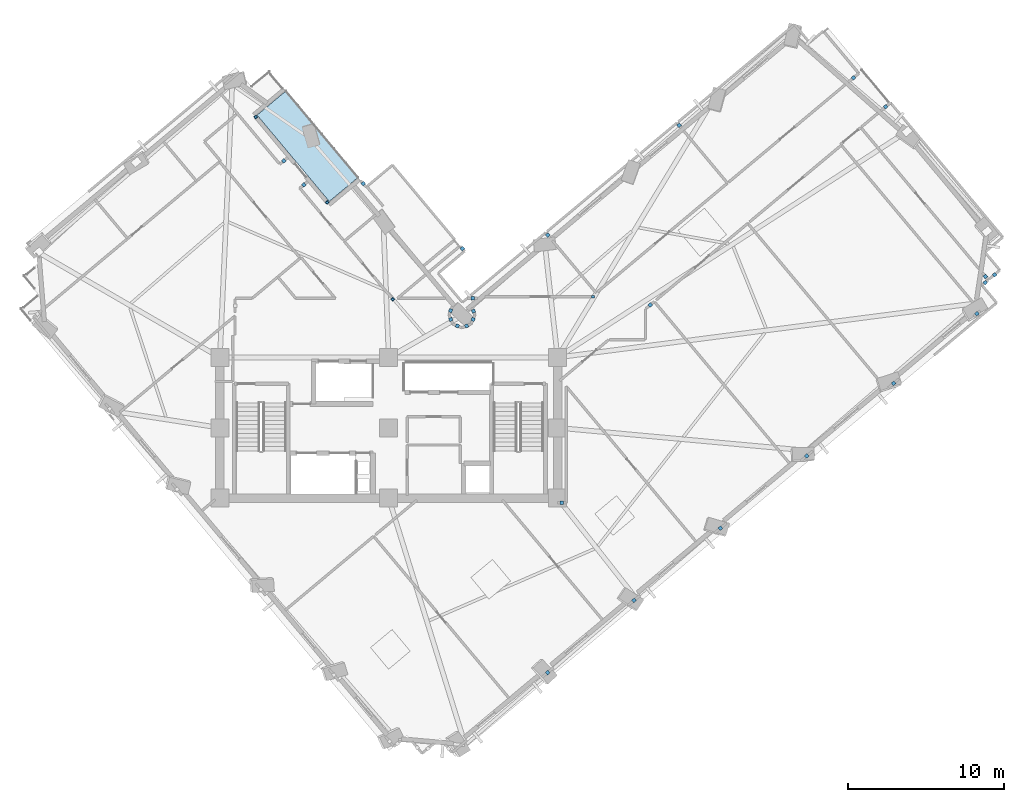
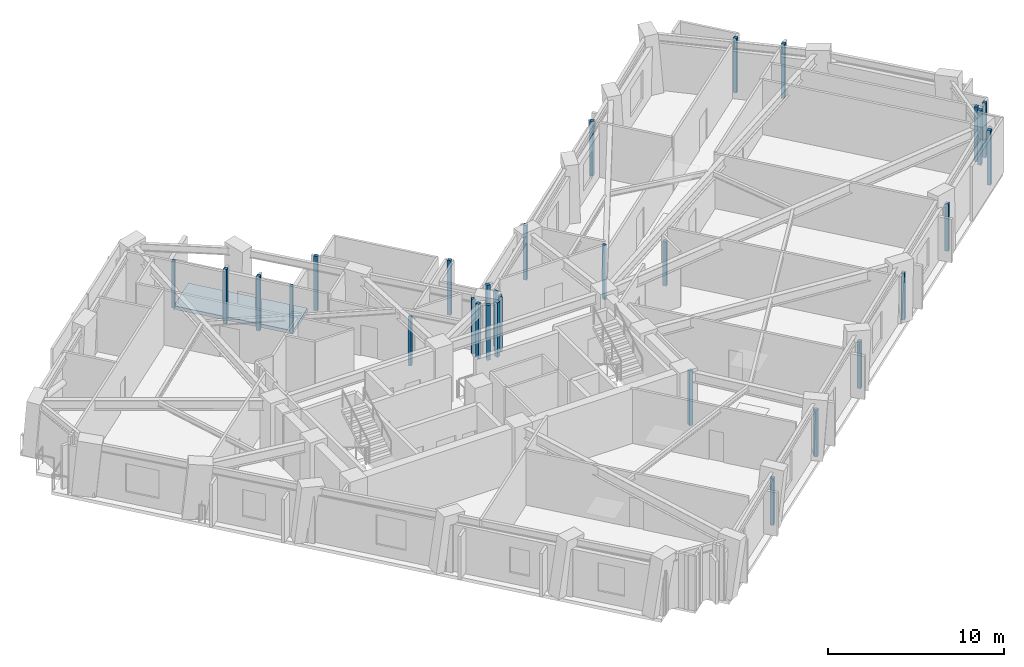
# One storey, part 4 of 14: 30 plates, 1 slab.
"""IFC4 building model written with IfcOpenShell, lengths in metres."""

from ifc_helpers import new_model, si_unit, direction, frame, origin, origin_2d, place, context, subcontext, project, spatial, polyline, rectangle, outline, extrude, material, layer, layer_set, type_object, element, save


model = new_model("IFC4")

# Units and contexts
model_context = context("Model", 3, precision=1e-05, world=origin(), true_north=direction((0.0, 1.0)))
body_context = subcontext(model_context, "Body", "Model", "MODEL_VIEW")
ifc_project = project(units=[si_unit("LENGTHUNIT", "METRE"), si_unit("AREAUNIT", "SQUARE_METRE"), si_unit("VOLUMEUNIT", "CUBIC_METRE"), si_unit("PLANEANGLEUNIT", "RADIAN"), si_unit("MASSUNIT", "GRAM", prefix="KILO")], contexts=[model_context])

# Site, building, storey
site_placement = place(None, origin())
site = spatial("IfcSite", under=ifc_project, at=site_placement, CompositionType="ELEMENT")
building_placement = place(site_placement, origin())
building = spatial("IfcBuilding", under=site, at=building_placement, Name="Gaonmaruhae Medical Tower", CompositionType="ELEMENT")
storey_placement = place(building_placement, frame((0.0, 0.0, 193.800048828125)))
storey = spatial("IfcBuildingStorey", under=building, at=storey_placement, Name="L46", CompositionType="ELEMENT", Elevation=193.800048828125)

# Plates
ifc_material_1 = material(Name="Anodised aluminium 6063-T6", Category="aluminium")
ifc_layer_1 = layer(ifc_material_1, 0.011962890625)
ifc_layer_set_1 = layer_set([ifc_layer_1], Name="Anodised aluminium 6063-T6")
plate_type = type_object("IfcPlateType", Name="PP-01 Interior Partition Corner Stiffener Plate", PredefinedType="SHEET", material=ifc_layer_set_1)
for number, where, z_axis, x_axis, name in (
    (1, (16.297607421875, 32.1796875, 0.0), (0.0, 0.0, 1.0), (0.641449631569, -0.767165151815, 0.0), "L46 Partition End Jamb Post Plate PLT-L46-ENDP-TERB-0"),
    (2, (20.86474609375, 26.717529296875, 0.0), (0.0, 0.0, 1.0), (0.641449631569, -0.767165151815, 0.0), "L46 Partition End Jamb Post Plate PLT-L46-ENDP-TERB-1"),
):
    element("IfcPlate", number, at=place(storey_placement, frame(where, z_axis=z_axis, x_axis=x_axis)), inside=storey, type_object=plate_type, Name=name, PredefinedType="SHEET", context=body_context, shape_type="SweptSolid", body=[
        extrude(rectangle(XDim=0.179931640625, YDim=0.179931640625, at=origin_2d()), origin(), (0.0, 0.0, 1.0), 3.264892578125),
    ])
plate_1_placement = place(storey_placement, frame((37.85693359375, 20.679931640625, 0.0), z_axis=(0.0, 0.0, 1.0), x_axis=(-1.0, 0.0, 0.0)))
element("IfcPlate", 3, at=plate_1_placement, inside=storey, type_object=plate_type, Name="L46 Partition End Jamb Post Plate PLT-L46-ENDP-PW057-0", PredefinedType="SHEET", context=body_context, shape_type="SweptSolid", body=[
    extrude(rectangle(XDim=0.179931640625, YDim=0.179931640625, at=origin_2d()), origin(), (0.0, 0.0, 1.0), 3.780029296875),
])
plate_2_placement = place(storey_placement, frame((25.057373046875, 20.5185546875, 0.0), z_axis=(0.0, 0.0, 1.0), x_axis=(-0.641436241914, 0.767176347107, 0.0)))
element("IfcPlate", 4, at=plate_2_placement, inside=storey, type_object=plate_type, Name="L46 Partition End Jamb Post Plate PLT-L46-ENDP-PW083-0", PredefinedType="SHEET", context=body_context, shape_type="SweptSolid", body=[
    extrude(rectangle(XDim=0.179931640625, YDim=0.179931640625, at=origin_2d()), origin(), (0.0, 0.0, 1.0), 3.4150390625),
])
for number, where, z_axis, x_axis, name in (
    (5, (34.967041015625, -3.360107421875, 0.0), (0.0, 0.0, 1.0), (-0.767355439981, -0.641221980855, 0.0), "L46 Partition Corner Stiffener Plate PLT-L46-JGP-PW016"),
    (6, (40.490478515625, 1.258056640625, 0.0), (0.0, 0.0, 1.0), (-0.76713156454, -0.641489799363, 0.0), "L46 Partition Corner Stiffener Plate PLT-L46-JGP-PW020"),
):
    element("IfcPlate", number, at=place(storey_placement, frame(where, z_axis=z_axis, x_axis=x_axis)), inside=storey, type_object=plate_type, Name=name, PredefinedType="SHEET", context=body_context, shape_type="SweptSolid", body=[
        extrude(rectangle(XDim=0.219970703125, YDim=0.219970703125, at=origin_2d()), origin(), (0.0, 0.0, 1.0), 3.264892578125),
    ])
plate_3_placement = place(storey_placement, frame((35.875, 7.5, 0.0), z_axis=(0.0, 0.0, 1.0), x_axis=(1.0, 0.0, 0.0)))
element("IfcPlate", 7, at=plate_3_placement, inside=storey, type_object=plate_type, Name="L46 Partition Corner Stiffener Plate PLT-L46-JGP-PW021", PredefinedType="SHEET", context=body_context, shape_type="SweptSolid", body=[
    extrude(rectangle(XDim=0.219970703125, YDim=0.219970703125, at=origin_2d()), origin(), (0.0, 0.0, 1.0), 3.780029296875),
])
plate_4_placement = place(storey_placement, frame((41.528076171875, 20.153564453125, 0.0), z_axis=(0.0, 0.0, 1.0), x_axis=(0.767008393202, 0.641637066228, 0.0)))
element("IfcPlate", 8, at=plate_4_placement, inside=storey, type_object=plate_type, Name="L46 Partition Corner Stiffener Plate PLT-L46-JGP-PW024", PredefinedType="SHEET", context=body_context, shape_type="SweptSolid", body=[
    extrude(rectangle(XDim=0.219970703125, YDim=0.219970703125, at=origin_2d()), origin(), (0.0, 0.0, 1.0), 3.06494140625),
])
for number, where, z_axis, x_axis, name in (
    (9, (46.013427734375, 5.8759765625, 0.0), (0.0, 0.0, 1.0), (-0.767310672372, -0.641275550808, 0.0), "L46 Partition Corner Stiffener Plate PLT-L46-JGP-PW026"),
    (10, (51.53662109375, 10.494384765625, 0.0), (0.0, 0.0, 1.0), (-0.766974796113, -0.641677225814, 0.0), "L46 Partition Corner Stiffener Plate PLT-L46-JGP-PW031"),
):
    element("IfcPlate", number, at=place(storey_placement, frame(where, z_axis=z_axis, x_axis=x_axis)), inside=storey, type_object=plate_type, Name=name, PredefinedType="SHEET", context=body_context, shape_type="SweptSolid", body=[
        extrude(rectangle(XDim=0.219970703125, YDim=0.219970703125, at=origin_2d()), origin(), (0.0, 0.0, 1.0), 3.264892578125),
    ])
plate_5_placement = place(storey_placement, frame((62.424560546875, 19.597900390625, 0.0), z_axis=(0.0, 0.0, 1.0), x_axis=(-0.767758180137, -0.640739710672, 0.0)))
element("IfcPlate", 11, at=plate_5_placement, inside=storey, type_object=plate_type, Name="L46 Partition Corner Stiffener Plate PLT-L46-JGP-PW034", PredefinedType="SHEET", context=body_context, shape_type="SweptSolid", body=[
    extrude(rectangle(XDim=0.219970703125, YDim=0.219970703125, at=origin_2d()), origin(), (0.0, 0.0, 1.0), 3.780029296875),
])
plate_6_placement = place(storey_placement, frame((57.09912109375, 15.14599609375, 0.0), z_axis=(0.0, 0.0, 1.0), x_axis=(-0.767467342641, -0.6410880423, 0.0)))
element("IfcPlate", 12, at=plate_6_placement, inside=storey, type_object=plate_type, Name="L46 Partition Corner Stiffener Plate PLT-L46-JGP-PW035", PredefinedType="SHEET", context=body_context, shape_type="SweptSolid", body=[
    extrude(rectangle(XDim=0.219970703125, YDim=0.219970703125, at=origin_2d()), origin(), (0.0, 0.0, 1.0), 3.264892578125),
])
for number, where, z_axis, x_axis, name in (
    (13, (34.9765625, 24.625, 0.0), (0.0, 0.0, 1.0), (0.6410880423, -0.767467342641, 0.0), "L46 Partition Corner Stiffener Plate PLT-L46-JGP-PW055"),
    (14, (30.166015625, 20.5791015625, 0.0), (0.0, 0.0, 1.0), (-1.0, 0.0, 0.0), "L46 Partition Corner Stiffener Plate PLT-L46-JGP-PW058"),
    (15, (30.222900390625, 19.758056640625, 0.0), (0.0, 0.0, 1.0), (0.38318324326, -0.923672345632, 0.0), "L46 Partition Corner Stiffener Plate PLT-L46-JGP-PW059"),
    (16, (30.196044921875, 19.23388671875, 0.0), (0.0, 0.0, 1.0), (-0.382167381036, -0.924093119157, 0.0), "L46 Partition Corner Stiffener Plate PLT-L46-JGP-PW060"),
    (17, (29.779541015625, 18.81689453125, 0.0), (0.0, 0.0, 1.0), (-0.923866173777, -0.382715681611, 0.0), "L46 Partition Corner Stiffener Plate PLT-L46-JGP-PW061"),
    (18, (29.18994140625, 18.81689453125, 0.0), (0.0, 0.0, 1.0), (-0.924093119157, 0.382167381036, 0.0), "L46 Partition Corner Stiffener Plate PLT-L46-JGP-PW062"),
    (19, (28.77294921875, 19.23388671875, 0.0), (0.0, 0.0, 1.0), (-0.382167381036, 0.924093119157, 0.0), "L46 Partition Corner Stiffener Plate PLT-L46-JGP-PW063"),
    (20, (28.761474609375, 19.79638671875, 0.0), (0.0, 0.0, 1.0), (0.381796395501, 0.924246456516, 0.0), "L46 Partition Corner Stiffener Plate PLT-L46-JGP-PW064"),
    (21, (29.513916015625, 23.762451171875, 0.0), (0.0, 0.0, 1.0), (0.640846903691, -0.767668708513, 0.0), "L46 Partition Corner Stiffener Plate PLT-L46-JGP-PW068"),
    (22, (43.37548828125, 31.64697265625, 0.0), (0.0, 0.0, 1.0), (0.6410880423, -0.767467342641, 0.0), "L46 Partition Corner Stiffener Plate PLT-L46-JGP-PW072"),
    (23, (54.531005859375, 34.68798828125, 0.0), (0.0, 0.0, 1.0), (-0.766918796291, -0.641744154548, 0.0), "L46 Partition Corner Stiffener Plate PLT-L46-JGP-PW076"),
    (24, (19.368896484375, 27.840087890625, 0.0), (0.0, 0.0, 1.0), (0.767478531621, 0.64107464737, 0.0), "L46 Partition Corner Stiffener Plate PLT-L46-JGP-PW086"),
    (25, (23.174560546875, 27.91455078125, 0.0), (0.0, 0.0, 1.0), (0.64107464737, -0.767478531621, 0.0), "L46 Partition Corner Stiffener Plate PLT-L46-JGP-PW087"),
    (26, (18.0859375, 29.3740234375, 0.0), (0.0, 0.0, 1.0), (-0.767478531621, -0.64107464737, 0.0), "L46 Partition Corner Stiffener Plate PLT-L46-JGP-PW089"),
    (27, (62.95947265625, 21.58349609375, 0.0), (0.0, 0.0, 1.0), (-0.767746997003, -0.640753110482, 0.0), "L46 Partition Corner Stiffener Plate PLT-L46-JGP-PW106"),
    (28, (62.968994140625, 21.9775390625, 0.0), (0.0, 0.0, 1.0), (0.641007669792, -0.767534473016, 0.0), "L46 Partition Corner Stiffener Plate PLT-L46-JGP-PW111"),
    (29, (63.5576171875, 22.083984375, 0.0), (0.0, 0.0, 1.0), (-0.766885193594, -0.641784309442, 0.0), "L46 Partition Corner Stiffener Plate PLT-L46-JGP-PW113"),
    (30, (56.589111328125, 32.83740234375, 0.0), (0.0, 0.0, 1.0), (0.767411394233, 0.641155014019, 0.0), "L46 Partition Corner Stiffener Plate PLT-L46-JGP-PW115"),
):
    element("IfcPlate", number, at=place(storey_placement, frame(where, z_axis=z_axis, x_axis=x_axis)), inside=storey, type_object=plate_type, Name=name, PredefinedType="SHEET", context=body_context, shape_type="SweptSolid", body=[
        extrude(rectangle(XDim=0.219970703125, YDim=0.219970703125, at=origin_2d()), origin(), (0.0, 0.0, 1.0), 3.780029296875),
    ])

# Slab
ifc_material_2 = material(Name="Concrete C40/50", Category="concrete")
ifc_layer_2 = layer(ifc_material_2, 0.239990234375)
ifc_layer_set_2 = layer_set([ifc_layer_2], Name="Concrete C40/50")
slab_type = type_object("IfcSlabType", Name="TS-240 Sky Garden & Recovery Terrace Slab", PredefinedType="FLOOR", material=ifc_layer_set_2)
slab_placement = place(storey_placement, frame((0.0, 0.0, -0.239990234375)))
element("IfcSlab", 31, at=slab_placement, inside=storey, type_object=slab_type, Name="L46 Outdoor Recovery Terrace Slab", PredefinedType="FLOOR", context=body_context, shape_type="SweptSolid", body=[
    extrude(outline(polyline([(20.997802734375, 26.776611328125), (22.839111328125, 28.316162109375), (18.220703125, 33.839599609375), (16.37939453125, 32.30029296875), (20.997802734375, 26.776611328125)])), origin(), (0.0, 0.0, 1.0), 0.239990234375),
])

save(model, "model.ifc")
